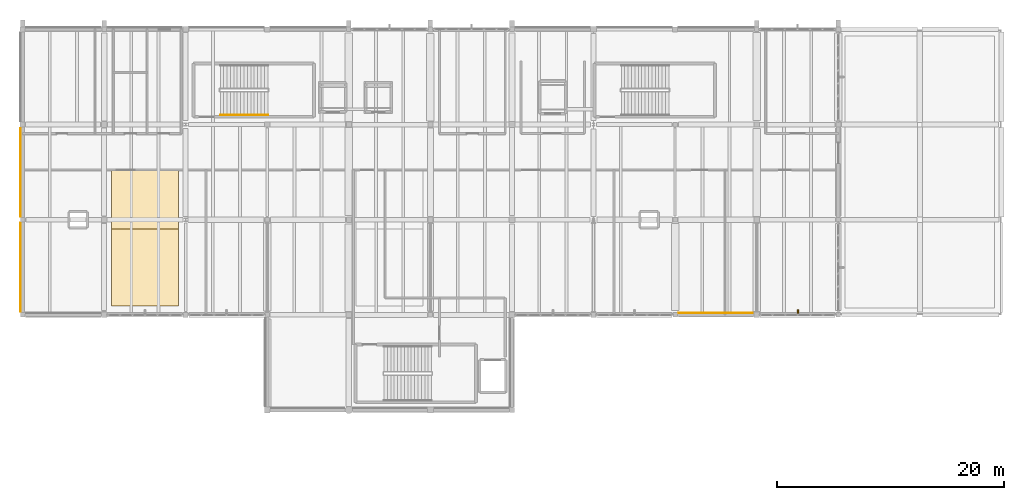
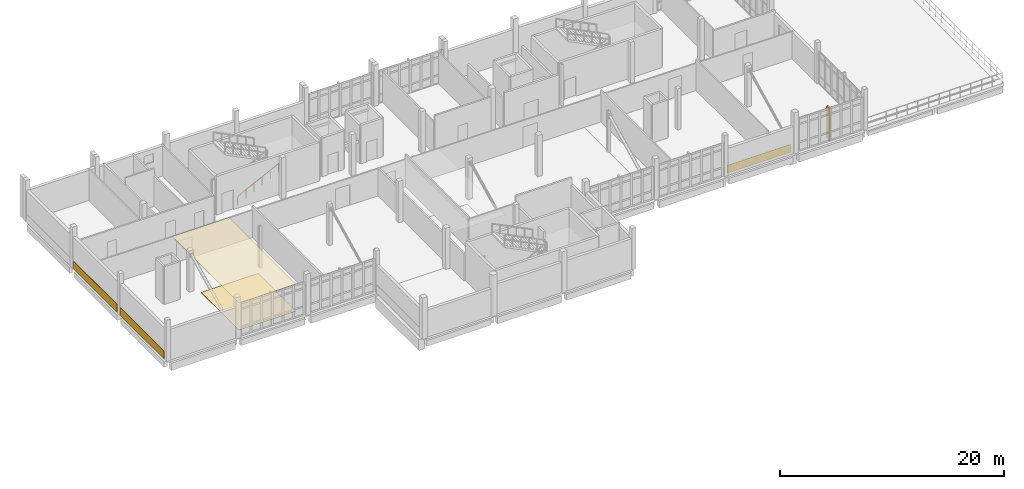
# One storey, part 32 of 34: 5 coverings, 1 railing, 1 shading device.
"""IFC4 building model written with IfcOpenShell, lengths in metres."""

import ifcopenshell
import ifcopenshell.guid

model = None  # the IFC model being written
_history = None  # IfcOwnerHistory: only IFC2X3 demands one
_inside = {}  # id of a spatial element -> (the spatial element, [elements in it])
_under = {}  # id of a project, library or spatial element -> (it, [spatial elements below it])
_declared = {}  # id of a project -> (the project, [libraries it declares])
_typed = {}  # id of a type object -> (the type object, [elements of that type])
_made_of = {}  # id of a material, layer set ... -> (it, [elements and type objects made of it])


def new_model(schema):
    """Start an empty IFC model of exactly this schema.

    Asked for "IFC4X3", IfcOpenShell would pick the latest addendum, in which some entities
    have other attributes; the version numbers below select the first issue.
    IFC2X3 requires an IfcOwnerHistory on every rooted entity: one is made here for all.
    """
    global model, _history
    if schema == "IFC4X3":
        model = ifcopenshell.file(schema_version=(4, 3, 0, 0))
    else:
        model = ifcopenshell.file(schema=schema)
    _inside.clear()
    _under.clear()
    _declared.clear()
    _typed.clear()
    _made_of.clear()
    _history = None
    if model.schema == "IFC2X3":
        org = make("IfcOrganization", Name="unknown")
        user = make(
            "IfcPersonAndOrganization",
            ThePerson=make("IfcPerson", FamilyName="unknown"),
            TheOrganization=org,
        )
        app = make(
            "IfcApplication",
            ApplicationDeveloper=org,
            Version="unknown",
            ApplicationFullName="unknown",
            ApplicationIdentifier="unknown",
        )
        _history = make(
            "IfcOwnerHistory",
            OwningUser=user,
            OwningApplication=app,
            ChangeAction="ADDED",
            CreationDate=0,
        )
    return model


def make(cls, **values):
    """One entity of the class cls with the attributes given. An attribute that is None is left unset."""
    return model.create_entity(
        cls, **{name: value for name, value in values.items() if value is not None}
    )


def rooted(cls, **values):
    """An entity with a GlobalId (a new one), such as an element, a storey or a relation."""
    return make(cls, GlobalId=ifcopenshell.guid.new(), OwnerHistory=_history, **values)


def si_unit(unit_type, name, prefix=None):
    """IfcSIUnit, for example si_unit("LENGTHUNIT", "METRE", prefix="MILLI")."""
    return make("IfcSIUnit", UnitType=unit_type, Prefix=prefix, Name=name)


def assignment(units):
    """IfcUnitAssignment: the units of a project."""
    return None if units is None else make("IfcUnitAssignment", Units=units)


def point(xyz):
    """IfcCartesianPoint."""
    return None if xyz is None else make("IfcCartesianPoint", Coordinates=xyz)


def direction(xyz):
    """IfcDirection."""
    return None if xyz is None else make("IfcDirection", DirectionRatios=xyz)


def frame(location, z_axis=None, x_axis=None):
    """IfcAxis2Placement3D, a coordinate frame: its origin and axes. An axis left out is left unset."""
    return make(
        "IfcAxis2Placement3D",
        Location=point(location),
        Axis=direction(z_axis),
        RefDirection=direction(x_axis),
    )


def frame_2d(location, x_axis=None):
    """IfcAxis2Placement2D, a coordinate frame in the plane: its origin and x axis."""
    return make(
        "IfcAxis2Placement2D", Location=point(location), RefDirection=direction(x_axis)
    )


def origin():
    """The frame at (0, 0, 0) with its axes left unset."""
    return frame((0.0, 0.0, 0.0))


def origin_2d():
    """The frame at (0, 0) in the plane with its x axis left unset."""
    return frame_2d((0.0, 0.0))


def place(relative_to, where):
    """IfcLocalPlacement: puts the frame where relative to a parent placement (None: the world)."""
    return make(
        "IfcLocalPlacement", PlacementRelTo=relative_to, RelativePlacement=where
    )


def context(
    kind, dimensions, precision=None, world=None, true_north=None, identifier=None
):
    """IfcGeometricRepresentationContext, for example the 3D "Model" context."""
    return make(
        "IfcGeometricRepresentationContext",
        ContextIdentifier=identifier,
        ContextType=kind,
        CoordinateSpaceDimension=dimensions,
        Precision=precision,
        WorldCoordinateSystem=world,
        TrueNorth=true_north,
    )


def subcontext(parent, identifier, kind, view, scale=None):
    """IfcGeometricRepresentationSubContext, for example "Body" below "Model"."""
    return make(
        "IfcGeometricRepresentationSubContext",
        ContextIdentifier=identifier,
        ContextType=kind,
        ParentContext=parent,
        TargetScale=scale,
        TargetView=view,
    )


def project(units=None, contexts=None):
    """IfcProject with its units and contexts."""
    return rooted(
        "IfcProject",
        Name="project",
        RepresentationContexts=contexts,
        UnitsInContext=assignment(units),
    )


def spatial(cls, under=None, at=None, **own):
    """A site, building, storey or space (cls), placed at a placement, below another one or the project."""
    s = rooted(cls, ObjectPlacement=at, **own)
    if under is not None:
        _under.setdefault(under.id(), (under, []))[1].append(s)
    return s


def polyline(points):
    """IfcPolyline through the points."""
    return make("IfcPolyline", Points=[point(p) for p in points])


def profile(cls, at=None, kind="AREA", **sizes):
    """A parametric profile (cls). Its sizes go by their IFC names, for example OverallWidth=200.0."""
    return make(cls, ProfileType=kind, Position=at, **sizes)


def rectangle(**sizes):
    """IfcRectangleProfileDef."""
    return profile("IfcRectangleProfileDef", **sizes)


def circle(**sizes):
    """IfcCircleProfileDef."""
    return profile("IfcCircleProfileDef", **sizes)


def outline(outer, holes=None, kind="AREA"):
    """IfcArbitraryClosedProfileDef: a profile drawn as a closed curve; with holes, ...WithVoids."""
    if holes is None:
        return make("IfcArbitraryClosedProfileDef", ProfileType=kind, OuterCurve=outer)
    return make(
        "IfcArbitraryProfileDefWithVoids",
        ProfileType=kind,
        OuterCurve=outer,
        InnerCurves=holes,
    )


def extrude(swept, where, along, depth):
    """IfcExtrudedAreaSolid: the profile swept, set in the frame where, extruded along a direction by depth."""
    return make(
        "IfcExtrudedAreaSolid",
        SweptArea=swept,
        Position=where,
        ExtrudedDirection=direction(along),
        Depth=depth,
    )


def shape(context_of_items, identifier, shape_type, items):
    """IfcShapeRepresentation: the items that make up one representation, for example the "Body"."""
    return make(
        "IfcShapeRepresentation",
        ContextOfItems=context_of_items,
        RepresentationIdentifier=identifier,
        RepresentationType=shape_type,
        Items=items,
    )


def material(Name=None, Category=None):
    """IfcMaterial."""
    return make("IfcMaterial", Name=Name, Category=Category)


def layer(
    of_material, thickness, ventilated=None, Name=None, Category=None, Priority=None
):
    """IfcMaterialLayer: one layer of a wall or slab, of a material (None: an air gap)."""
    return make(
        "IfcMaterialLayer",
        Material=of_material,
        LayerThickness=thickness,
        IsVentilated=ventilated,
        Name=Name,
        Category=Category,
        Priority=Priority,
    )


def layer_set(layers, Name=None):
    """IfcMaterialLayerSet."""
    return make("IfcMaterialLayerSet", MaterialLayers=layers, LayerSetName=Name)


def made_of(thing, what):
    """Note that an element or type object is made of a material, layer set ...; save() writes the relation."""
    if what is not None:
        _made_of.setdefault(what.id(), (what, []))[1].append(thing)
    return thing


def type_object(cls, material=None, **own):
    """A type object (cls), such as IfcWallType, which elements share."""
    return made_of(rooted(cls, **own), material)


def element(
    cls,
    number,
    at=None,
    inside=None,
    cuts=None,
    type_object=None,
    material=None,
    context=None,
    identifier="Body",
    shape_type=None,
    held_by="IfcProductDefinitionShape",
    body=None,
    shapes=None,
    **own,
):
    """One element of the class cls, such as IfcWall. Its Tag is "e" and its number.

    at: its placement. inside: the storey or other place that contains it. cuts: it is an
    opening in that element (IfcRelVoidsElement). A single representation is given by context,
    identifier, shape_type and body (its items); several are given by shapes. held_by: the class
    of the entity that holds the representations. save() writes the other relations.
    """
    e = rooted(cls, Tag="e%d" % number, ObjectPlacement=at, **own)
    if body is not None:
        shapes = [shape(context, identifier, shape_type, body)]
    if shapes is not None:
        e.Representation = make(held_by, Representations=shapes)
    if inside is not None:
        _inside.setdefault(inside.id(), (inside, []))[1].append(e)
    if cuts is not None:
        rooted(
            "IfcRelVoidsElement", RelatingBuildingElement=cuts, RelatedOpeningElement=e
        )
    if type_object is not None:
        _typed.setdefault(type_object.id(), (type_object, []))[1].append(e)
    return made_of(e, material)


def aggregate(whole, parts):
    """IfcRelAggregates: a whole, such as a stair, and the parts it consists of."""
    return rooted("IfcRelAggregates", RelatingObject=whole, RelatedObjects=parts)


def save(model, path):
    """Write the relations noted so far, then the file.

    IfcRelAggregates (storeys below a building ...), IfcRelContainedInSpatialStructure (elements
    in a storey), IfcRelDefinesByType, IfcRelAssociatesMaterial and IfcRelDeclares: one each for
    every whole, place, type object, material and project.
    """
    for whole, parts in _under.values():
        aggregate(whole, parts)
    for where, things in _inside.values():
        rooted(
            "IfcRelContainedInSpatialStructure",
            RelatedElements=things,
            RelatingStructure=where,
        )
    for kind, things in _typed.values():
        rooted("IfcRelDefinesByType", RelatedObjects=things, RelatingType=kind)
    for what, things in _made_of.values():
        rooted("IfcRelAssociatesMaterial", RelatedObjects=things, RelatingMaterial=what)
    for by, libraries in _declared.values():
        rooted("IfcRelDeclares", RelatingContext=by, RelatedDefinitions=libraries)
    model.write(path)


model = new_model("IFC4")

# Units and contexts
model_context = context("Model", 3, precision=1e-05, world=origin(), true_north=direction((0.0, 1.0)))
body_context = subcontext(model_context, "Body", "Model", "MODEL_VIEW")
ifc_project = project(units=[si_unit("LENGTHUNIT", "METRE"), si_unit("AREAUNIT", "SQUARE_METRE"), si_unit("VOLUMEUNIT", "CUBIC_METRE"), si_unit("PLANEANGLEUNIT", "RADIAN"), si_unit("MASSUNIT", "GRAM", prefix="KILO")], contexts=[model_context])

# Site, building, storey
site_placement = place(None, origin())
site = spatial("IfcSite", under=ifc_project, at=site_placement, CompositionType="ELEMENT")
building_placement = place(site_placement, origin())
building = spatial("IfcBuilding", under=site, at=building_placement, Name="Kalluvel Institute of Natural Sciences", CompositionType="ELEMENT")
storey_placement = place(building_placement, frame((0.0, 0.0, 36.89990234375)))
storey = spatial("IfcBuildingStorey", under=building, at=storey_placement, Name="L08", CompositionType="ELEMENT", Elevation=36.89990234375)

# Coverings
ifc_material_1 = material(Name="Perforated Mineral-Fibre Acoustic Tile", Category="gypsum")
ifc_layer_1 = layer(ifc_material_1, 0.02490234375)
ifc_layer_set_1 = layer_set([ifc_layer_1], Name="Perforated Mineral-Fibre Acoustic Tile")
covering_type_1 = type_object("IfcCoveringType", Name="COV-CEIL-600", PredefinedType="CEILING", material=ifc_layer_set_1)
covering_1_placement = place(storey_placement, frame((0.0, 0.0, 2.9501953125)))
element("IfcCovering", 1, at=covering_1_placement, inside=storey, type_object=covering_type_1, Name="L08 laboratory acoustic ceiling panel 17", PredefinedType="CEILING", context=body_context, shape_type="SweptSolid", body=[
    extrude(outline(polyline([(21.85009765625, 103.60009765625), (27.75, 103.60009765625), (27.75, 115.60009765625), (21.85009765625, 115.60009765625), (21.85009765625, 103.60009765625)])), origin(), (0.0, 0.0, 1.0), 0.02490234375),
])
ifc_material_2 = material(Name="Sadarahalli Grey Granite Ashlar Concrete M40", Category="masonry")
ifc_layer_2 = layer(ifc_material_2, 0.044921875)
ifc_layer_set_2 = layer_set([ifc_layer_2], Name="Sadarahalli Grey Granite Ashlar Concrete M40")
covering_type_2 = type_object("IfcCoveringType", Name="COV-CLAD-STONE", PredefinedType="CLADDING", material=ifc_layer_set_2)
covering_2_placement = place(storey_placement, frame((75.175048828125, 102.969970703125, 0.025146484375), z_axis=(0.0, 0.0, 1.0), x_axis=(1.0, 0.0, 0.0)))
element("IfcCovering", 2, at=covering_2_placement, inside=storey, type_object=covering_type_2, Name="L08 Sadarahalli granite plinth spandrel cladding 103", PredefinedType="CLADDING", context=body_context, shape_type="SweptSolid", body=[
    extrude(rectangle(XDim=6.590087890625, YDim=0.044921875, at=origin_2d()), origin(), (0.0, 0.0, 1.0), 0.85009765625),
])
covering_3_placement = place(storey_placement, frame((13.820068359375, 107.0, 0.025146484375), z_axis=(0.0, 0.0, 1.0), x_axis=(0.0, 1.0, 0.0)))
element("IfcCovering", 3, at=covering_3_placement, inside=storey, type_object=covering_type_2, Name="L08 Sadarahalli granite plinth spandrel cladding 104", PredefinedType="CLADDING", context=body_context, shape_type="SweptSolid", body=[
    extrude(rectangle(XDim=7.840087890625, YDim=0.044921875, at=origin_2d()), origin(), (0.0, 0.0, 1.0), 0.85009765625),
])
covering_4_placement = place(storey_placement, frame((13.820068359375, 115.387451171875, 0.025146484375), z_axis=(0.0, 0.0, 1.0), x_axis=(0.0, 1.0, 0.0)))
element("IfcCovering", 4, at=covering_4_placement, inside=storey, type_object=covering_type_2, Name="L08 Sadarahalli granite plinth spandrel cladding 105", PredefinedType="CLADDING", context=body_context, shape_type="SweptSolid", body=[
    extrude(rectangle(XDim=7.81494140625, YDim=0.044921875, at=origin_2d()), origin(), (0.0, 0.0, 1.0), 0.85009765625),
])
ifc_material_3 = material(Name="Seamless Chemical-Resistant Epoxy Flooring", Category="resin")
ifc_layer_3 = layer(ifc_material_3, 0.014892578125)
ifc_layer_set_3 = layer_set([ifc_layer_3], Name="Seamless Chemical-Resistant Epoxy Flooring")
covering_type_3 = type_object("IfcCoveringType", Name="COV-FLR-EPOXY", PredefinedType="FLOORING", material=ifc_layer_set_3)
covering_5_placement = place(storey_placement, origin())
element("IfcCovering", 5, at=covering_5_placement, inside=storey, type_object=covering_type_3, Name="L08 seamless epoxy laboratory floor finish 17", PredefinedType="FLOORING", context=body_context, shape_type="SweptSolid", body=[
    extrude(outline(polyline([(21.85009765625, 103.60009765625), (27.75, 103.60009765625), (27.75, 110.39990234375), (21.85009765625, 110.39990234375), (21.85009765625, 103.60009765625)])), origin(), (0.0, 0.0, 1.0), 0.01513671875),
])

# Railing
ifc_material_4 = material(Name="Galvanized Fire-Rated Steel", Category="steel")
railing_type = type_object("IfcRailingType", Name="RL-HR-STAIR", PredefinedType="HANDRAIL", material=ifc_material_4)
railing_placement = place(storey_placement, frame((31.449951171875, 120.449951171875, 0.150146484375)))
element("IfcRailing", 6, at=railing_placement, inside=storey, type_object=railing_type, Name="L08 ST1 stair handrail 1", PredefinedType="HANDRAIL", context=body_context, shape_type="SweptSolid", body=[
    extrude(circle(Radius=0.02392578125, at=origin_2d()), frame((0.0, 0.0, 0.89599609375), z_axis=(0.894437589381, 0.0, 0.447192798132), x_axis=(0.0, 1.0, 0.0)), (0.0, 0.0, 1.0), 4.695556640625),
    extrude(circle(Radius=0.02099609375, at=origin_2d()), origin(), (0.0, 0.0, 1.0), 0.871826171875),
    extrude(circle(Radius=0.02099609375, at=origin_2d()), frame((0.840087890625, 0.0, 0.419921875)), (0.0, 0.0, 1.0), 0.871826171875),
    extrude(circle(Radius=0.02099609375, at=origin_2d()), frame((1.679931640625, 0.0, 0.83984375)), (0.0, 0.0, 1.0), 0.871826171875),
    extrude(circle(Radius=0.02099609375, at=origin_2d()), frame((2.52001953125, 0.0, 1.260009765625)), (0.0, 0.0, 1.0), 0.871826171875),
    extrude(circle(Radius=0.02099609375, at=origin_2d()), frame((3.35986328125, 0.0, 1.679931640625)), (0.0, 0.0, 1.0), 0.871826171875),
    extrude(circle(Radius=0.02099609375, at=origin_2d()), frame((4.199951171875, 0.0, 2.099853515625)), (0.0, 0.0, 1.0), 0.871826171875),
])

# Shading device
shading_device_type = type_object("IfcShadingDeviceType", Name="SHD-FIN-STONE", PredefinedType="USERDEFINED", material=ifc_material_2)
shading_device_placement = place(storey_placement, frame((82.425048828125, 103.02001953125, 0.0), z_axis=(0.0, 0.0, 1.0), x_axis=(1.0, 0.0, 0.0)))
element("IfcShadingDevice", 7, at=shading_device_placement, inside=storey, type_object=shading_device_type, Name="L08 monsoon lancet shading fin 111", ObjectType="MONSOON FIN", PredefinedType="USERDEFINED", context=body_context, shape_type="SweptSolid", body=[
    extrude(rectangle(XDim=0.139892578125, YDim=0.47998046875, at=origin_2d()), origin(), (0.0, 0.0, 1.0), 3.530029296875),
])

save(model, "model.ifc")
